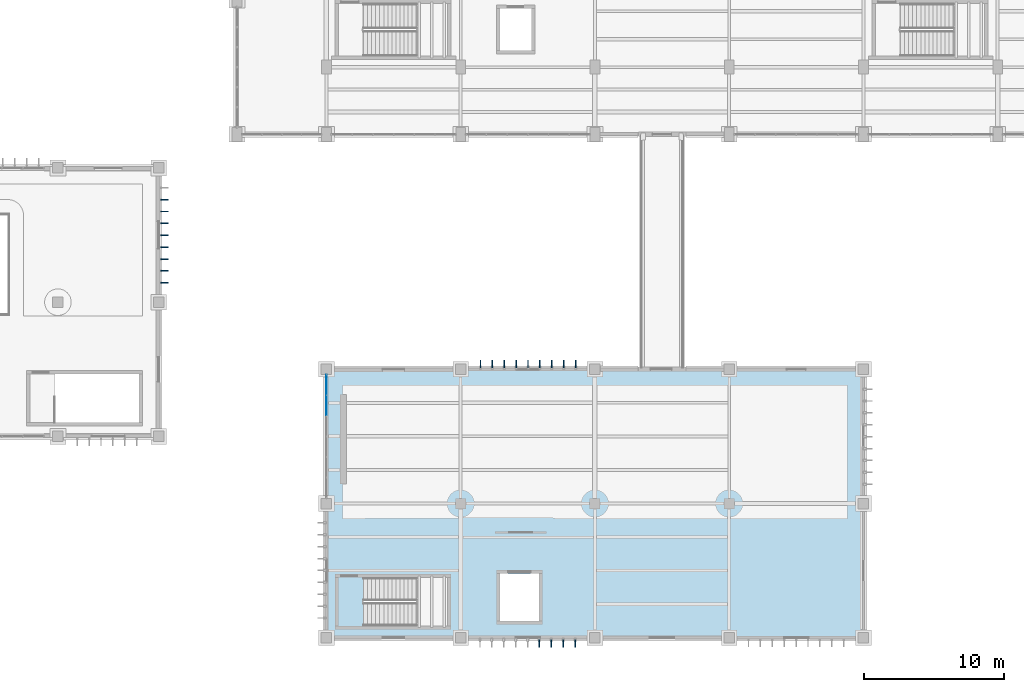
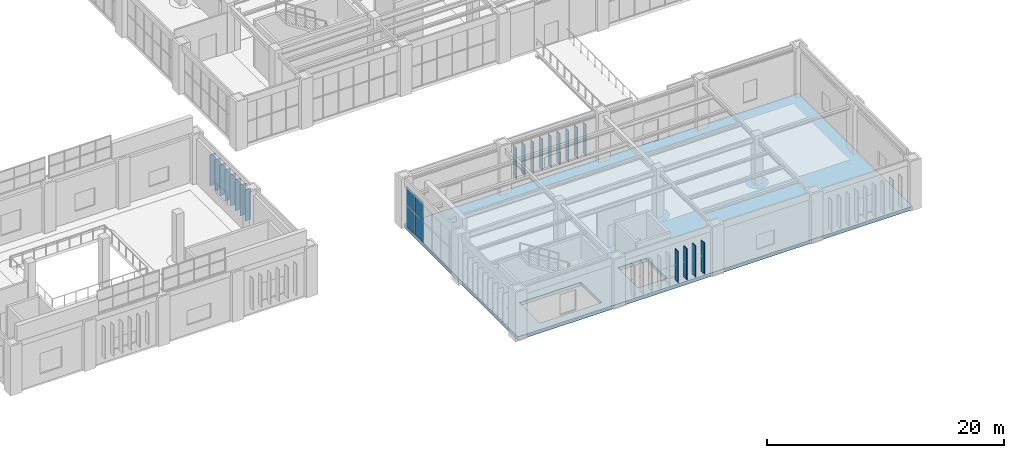
# One storey, part 127 of 174: 25 plates, 1 slab, 1 element without a shape of its own.
"""IFC4 building model written with IfcOpenShell, lengths in metres."""

from ifc_helpers import new_model, si_unit, direction, frame, origin, origin_2d, place, context, subcontext, project, spatial, polyline, rectangle, outline, extrude, material, layer, layer_set, type_object, element, aggregate, save


model = new_model("IFC4")

# Units and contexts
model_context = context("Model", 3, precision=1e-05, world=origin(), true_north=direction((0.0, 1.0)))
body_context = subcontext(model_context, "Body", "Model", "MODEL_VIEW")
ifc_project = project(units=[si_unit("LENGTHUNIT", "METRE"), si_unit("AREAUNIT", "SQUARE_METRE"), si_unit("VOLUMEUNIT", "CUBIC_METRE"), si_unit("PLANEANGLEUNIT", "RADIAN"), si_unit("MASSUNIT", "GRAM", prefix="KILO")], contexts=[model_context])

# Site, building, storey
site_placement = place(None, origin())
site = spatial("IfcSite", under=ifc_project, at=site_placement, CompositionType="ELEMENT")
building_placement = place(site_placement, origin())
building = spatial("IfcBuilding", under=site, at=building_placement, Name="Mavantir Sound Aquarium", CompositionType="ELEMENT")
storey_placement = place(building_placement, frame((0.0, 0.0, 5.39990234375)))
storey = spatial("IfcBuildingStorey", under=building, at=storey_placement, Name="L01", CompositionType="ELEMENT", Elevation=5.39990234375)

# Curtain wall, plates
ifc_material_1 = material(Name="Anodised Marine Aluminium and Low-E Glass", Category="aluminium")
curtain_wall_type = type_object("IfcCurtainWallType", Name="CW-T01", PredefinedType="USERDEFINED", material=ifc_material_1)
curtain_wall_placement = place(storey_placement, origin())
curtain_wall = element("IfcCurtainWall", 1, at=curtain_wall_placement, inside=storey, type_object=curtain_wall_type, Name="L01 unitised curtain wall CW-01 121", ObjectType="UNITISED GLAZING", PredefinedType="USERDEFINED")
ifc_material_2 = material(Name="Solar-Control Laminated Low-E Glass", Category="glass")
ifc_layer_1 = layer(ifc_material_2, 0.028076171875, Name="Solar-Control Laminated Low-E Glass")
ifc_layer_set_1 = layer_set([ifc_layer_1], Name="Solar-Control Laminated Low-E Glass")
plate_type_1 = type_object("IfcPlateType", Name="CW-PNL-28", PredefinedType="CURTAIN_PANEL", material=ifc_layer_set_1)
plate_1_placement = place(storey_placement, frame((108.0, 18.080810546875, 0.103271484375), z_axis=(0.0, 0.0, 1.0), x_axis=(0.0, -1.0, 0.0)))
plate_1 = element("IfcPlate", 2, at=plate_1_placement, type_object=plate_type_1, Name="CW-L01-121 glazed curtain panel 1.1", PredefinedType="CURTAIN_PANEL", context=body_context, shape_type="SweptSolid", body=[
    extrude(rectangle(XDim=1.42431640625, YDim=0.028076171875, at=origin_2d()), origin(), (0.0, 0.0, 1.0), 2.08447265625),
])
plate_2_placement = place(storey_placement, frame((108.0, 18.080810546875, 2.283447265625), z_axis=(0.0, 0.0, 1.0), x_axis=(0.0, -1.0, 0.0)))
plate_2 = element("IfcPlate", 3, at=plate_2_placement, type_object=plate_type_1, Name="CW-L01-121 glazed curtain panel 1.2", PredefinedType="CURTAIN_PANEL", context=body_context, shape_type="SweptSolid", body=[
    extrude(rectangle(XDim=1.42431640625, YDim=0.028076171875, at=origin_2d()), origin(), (0.0, 0.0, 1.0), 1.91259765625),
])
plate_3_placement = place(storey_placement, frame((108.0, 16.6083984375, 0.103271484375), z_axis=(0.0, 0.0, 1.0), x_axis=(0.0, -1.0, 0.0)))
plate_3 = element("IfcPlate", 4, at=plate_3_placement, type_object=plate_type_1, Name="CW-L01-121 glazed curtain panel 2.1", PredefinedType="CURTAIN_PANEL", context=body_context, shape_type="SweptSolid", body=[
    extrude(rectangle(XDim=1.42431640625, YDim=0.028076171875, at=origin_2d()), origin(), (0.0, 0.0, 1.0), 2.08447265625),
])
plate_4_placement = place(storey_placement, frame((108.0, 16.6083984375, 2.283447265625), z_axis=(0.0, 0.0, 1.0), x_axis=(0.0, -1.0, 0.0)))
plate_4 = element("IfcPlate", 5, at=plate_4_placement, type_object=plate_type_1, Name="CW-L01-121 glazed curtain panel 2.2", PredefinedType="CURTAIN_PANEL", context=body_context, shape_type="SweptSolid", body=[
    extrude(rectangle(XDim=1.42431640625, YDim=0.028076171875, at=origin_2d()), origin(), (0.0, 0.0, 1.0), 1.91259765625),
])
aggregate(curtain_wall, [plate_1, plate_2, plate_3, plate_4])

# Plates
ifc_material_3 = material(Name="Coral-Limestone Composite Brise-Soleil Blade", Category="masonry")
ifc_layer_2 = layer(ifc_material_3, 0.06494140625, Name="Coral-Limestone Composite Brise-Soleil Blade")
ifc_layer_set_2 = layer_set([ifc_layer_2], Name="Coral-Limestone Composite Brise-Soleil Blade")
plate_type_2 = type_object("IfcPlateType", Name="PLT-FIN-520", PredefinedType="SHEET", material=ifc_layer_set_2)
for number, where, z_axis, x_axis, name in (
    (6, (125.81689453125, 19.574951171875, 0.65673828125), (0.0, 0.0, 1.0), (1.0, 0.0, 0.0), "Tropical coral-stone brise-soleil blade 38"),
    (7, (124.967041015625, 19.574951171875, 0.65673828125), (0.0, 0.0, 1.0), (1.0, 0.0, 0.0), "Tropical coral-stone brise-soleil blade 39"),
    (8, (124.116943359375, 19.574951171875, 0.65673828125), (0.0, 0.0, 1.0), (1.0, 0.0, 0.0), "Tropical coral-stone brise-soleil blade 40"),
    (9, (123.26708984375, 19.574951171875, 0.65673828125), (0.0, 0.0, 1.0), (1.0, 0.0, 0.0), "Tropical coral-stone brise-soleil blade 41"),
    (10, (122.4169921875, 19.574951171875, 0.65673828125), (0.0, 0.0, 1.0), (1.0, 0.0, 0.0), "Tropical coral-stone brise-soleil blade 42"),
    (11, (121.56689453125, 19.574951171875, 0.65673828125), (0.0, 0.0, 1.0), (1.0, 0.0, 0.0), "Tropical coral-stone brise-soleil blade 43"),
    (12, (120.717041015625, 19.574951171875, 0.65673828125), (0.0, 0.0, 1.0), (1.0, 0.0, 0.0), "Tropical coral-stone brise-soleil blade 44"),
    (13, (119.866943359375, 19.574951171875, 0.65673828125), (0.0, 0.0, 1.0), (1.0, 0.0, 0.0), "Tropical coral-stone brise-soleil blade 45"),
    (14, (119.01708984375, 19.574951171875, 0.65673828125), (0.0, 0.0, 1.0), (1.0, 0.0, 0.0), "Tropical coral-stone brise-soleil blade 46"),
    (15, (123.23291015625, -0.39501953125, 0.65673828125), (0.0, 0.0, 1.0), (-1.0, 0.0, 0.0), "Tropical coral-stone brise-soleil blade 61"),
    (16, (124.0830078125, -0.39501953125, 0.65673828125), (0.0, 0.0, 1.0), (-1.0, 0.0, 0.0), "Tropical coral-stone brise-soleil blade 62"),
    (17, (124.93310546875, -0.39501953125, 0.65673828125), (0.0, 0.0, 1.0), (-1.0, 0.0, 0.0), "Tropical coral-stone brise-soleil blade 63"),
    (18, (125.782958984375, -0.39501953125, 0.65673828125), (0.0, 0.0, 1.0), (-1.0, 0.0, 0.0), "Tropical coral-stone brise-soleil blade 64"),
    (19, (96.409912109375, 25.383056640625, 0.70263671875), (0.0, 0.0, 1.0), (0.0, -1.0, 0.0), "Tropical coral-stone brise-soleil blade 74"),
    (20, (96.409912109375, 26.23291015625, 0.70263671875), (0.0, 0.0, 1.0), (0.0, -1.0, 0.0), "Tropical coral-stone brise-soleil blade 75"),
    (21, (96.409912109375, 27.0830078125, 0.70263671875), (0.0, 0.0, 1.0), (0.0, -1.0, 0.0), "Tropical coral-stone brise-soleil blade 76"),
    (22, (96.409912109375, 27.93310546875, 0.70263671875), (0.0, 0.0, 1.0), (0.0, -1.0, 0.0), "Tropical coral-stone brise-soleil blade 77"),
    (23, (96.409912109375, 28.782958984375, 0.70263671875), (0.0, 0.0, 1.0), (0.0, -1.0, 0.0), "Tropical coral-stone brise-soleil blade 78"),
    (24, (96.409912109375, 29.633056640625, 0.70263671875), (0.0, 0.0, 1.0), (0.0, -1.0, 0.0), "Tropical coral-stone brise-soleil blade 79"),
    (25, (96.409912109375, 30.48291015625, 0.70263671875), (0.0, 0.0, 1.0), (0.0, -1.0, 0.0), "Tropical coral-stone brise-soleil blade 80"),
    (26, (96.409912109375, 31.3330078125, 0.70263671875), (0.0, 0.0, 1.0), (0.0, -1.0, 0.0), "Tropical coral-stone brise-soleil blade 81"),
):
    element("IfcPlate", number, at=place(storey_placement, frame(where, z_axis=z_axis, x_axis=x_axis)), inside=storey, type_object=plate_type_2, Name=name, PredefinedType="SHEET", context=body_context, shape_type="SweptSolid", body=[
        extrude(rectangle(XDim=0.06494140625, YDim=0.5400390625, at=origin_2d()), origin(), (0.0, 0.0, 1.0), 3.199951171875),
    ])

# Slab
ifc_material_4 = material(Name="Concrete C40/50", Category="concrete")
ifc_layer_3 = layer(ifc_material_4, 0.35009765625, Name="Concrete C40/50")
ifc_layer_set_3 = layer_set([ifc_layer_3], Name="Concrete C40/50")
slab_type = type_object("IfcSlabType", Name="SLB-FS-02", PredefinedType="FLOOR", material=ifc_layer_set_3)
slab_placement = place(storey_placement, frame((0.0, 0.0, -0.349853515625)))
element("IfcSlab", 27, at=slab_placement, inside=storey, type_object=slab_type, Name="L01 structural slab FS-02 (V6)", PredefinedType="FLOOR", context=body_context, shape_type="SweptSolid", body=[
    extrude(outline(polyline([(146.39990234375, 0.0), (146.39990234375, 19.199951171875), (108.0, 19.199951171875), (108.0, 0.0), (146.39990234375, 0.0)]), holes=[polyline([(110.64990234375, 0.85009765625), (116.64990234375, 0.85009765625), (116.64990234375, 4.300048828125), (110.64990234375, 4.300048828125), (110.64990234375, 0.85009765625)]), polyline([(120.39990234375, 1.199951171875), (123.199951171875, 1.199951171875), (123.199951171875, 4.60009765625), (120.39990234375, 4.60009765625), (120.39990234375, 1.199951171875)])]), origin(), (0.0, 0.0, 1.0), 0.349853515625),
])

save(model, "model.ifc")
